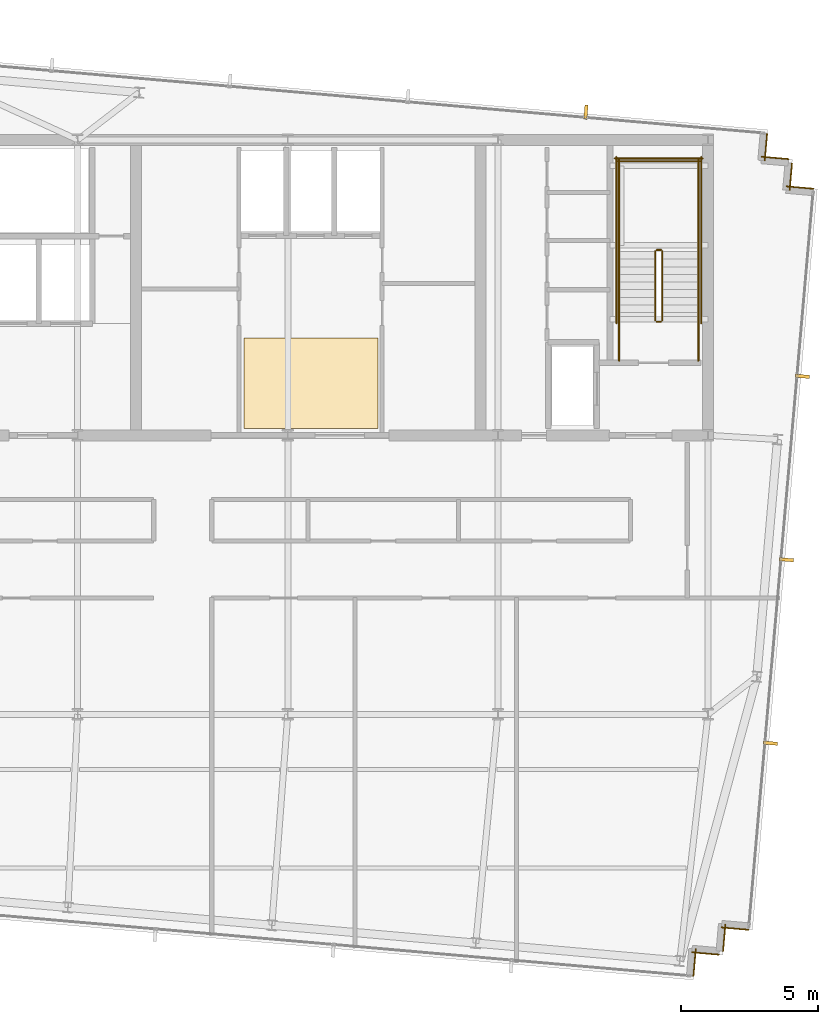
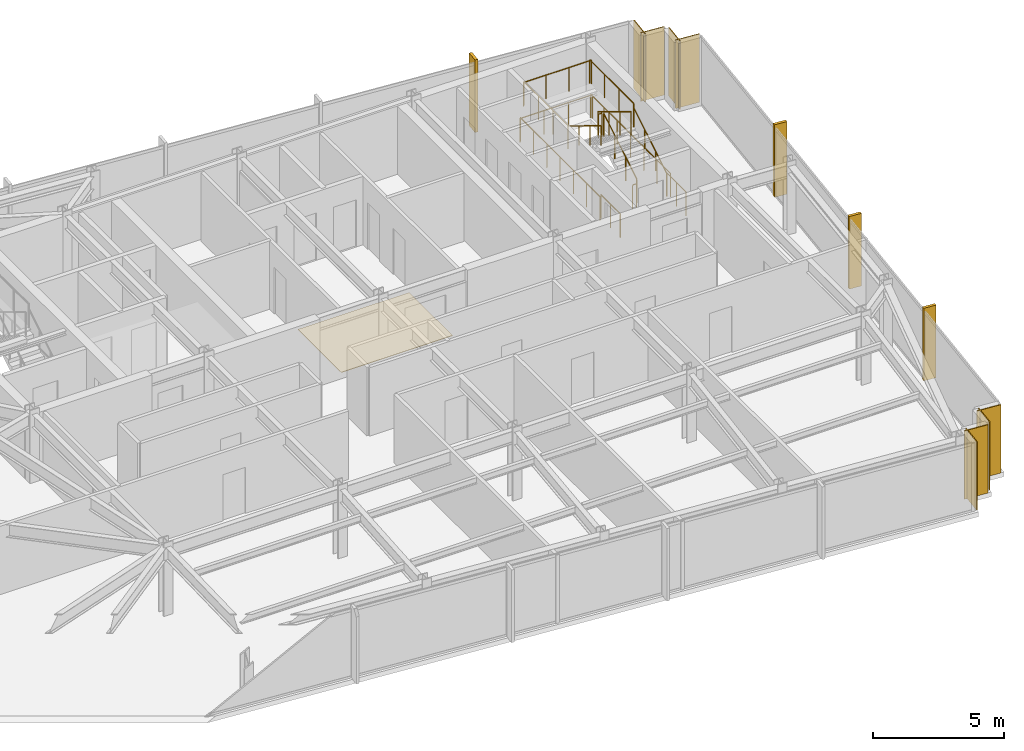
# One storey, part 31 of 32: 14 railings, 9 coverings, 4 shading devices.
"""IFC4 building model written with IfcOpenShell, lengths in metres."""

from ifc_helpers import new_model, si_unit, direction, frame, frame_2d, origin, origin_2d, place, context, subcontext, project, spatial, polyline, rectangle, circle, outline, extrude, material, layer, layer_set, type_object, element, save


model = new_model("IFC4")

# Units and contexts
model_context = context("Model", 3, precision=1e-05, world=origin(), true_north=direction((0.0, 1.0)))
body_context = subcontext(model_context, "Body", "Model", "MODEL_VIEW")
ifc_project = project(units=[si_unit("LENGTHUNIT", "METRE"), si_unit("AREAUNIT", "SQUARE_METRE"), si_unit("VOLUMEUNIT", "CUBIC_METRE"), si_unit("PLANEANGLEUNIT", "RADIAN"), si_unit("MASSUNIT", "GRAM", prefix="KILO")], contexts=[model_context])

# Site, building, storey
site_placement = place(None, origin())
site = spatial("IfcSite", under=ifc_project, at=site_placement, CompositionType="ELEMENT")
building_placement = place(site_placement, origin())
building = spatial("IfcBuilding", under=site, at=building_placement, Name="Yelkora Congress Tower", CompositionType="ELEMENT")
storey_placement = place(building_placement, frame((0.0, 0.0, 293.10009765625)))
storey = spatial("IfcBuildingStorey", under=building, at=storey_placement, Name="L82", CompositionType="ELEMENT", Elevation=293.10009765625)

# Coverings
ifc_material_1 = material(Name="Anatolian bush-hammered limestone", Category="masonry")
ifc_layer_1 = layer(ifc_material_1, 0.0400390625)
ifc_layer_set_1 = layer_set([ifc_layer_1], Name="Anatolian bush-hammered limestone")
covering_type_1 = type_object("IfcCoveringType", Name="COV-CLAD-SPANDREL-40", PredefinedType="CLADDING", material=ifc_layer_set_1)
for number, where, z_axis, x_axis, name in (
    (1, (55.92041015625, 46.431396484375, 0.0), (0.0, 0.0, 1.0), (-0.086903493655, -0.996216734848, 0.0), "L82 Anatolian Limestone Cladding EW-L82-SR11"),
    (2, (55.710693359375, 45.581298828125, 0.0), (0.0, 0.0, 1.0), (0.996193717496, -0.087166950281, 0.0), "L82 Anatolian Limestone Cladding EW-L82-SR12"),
    (3, (56.82958984375, 45.347900390625, 0.0), (0.0, 0.0, 1.0), (-0.087166950281, -0.996193717496, 0.0), "L82 Anatolian Limestone Cladding EW-L82-SR13"),
):
    element("IfcCovering", number, at=place(storey_placement, frame(where, z_axis=z_axis, x_axis=x_axis)), inside=storey, type_object=covering_type_1, Name=name, PredefinedType="CLADDING", context=body_context, shape_type="SweptSolid", body=[
        extrude(rectangle(XDim=1.0, YDim=0.0400390625, at=frame_2d((0.5, 0.0))), origin(), (0.0, 0.0, 1.0), 3.179931640625),
    ])
covering_1_placement = place(storey_placement, frame((56.61962890625, 44.498046875, 0.0), z_axis=(0.0, 0.0, 1.0), x_axis=(0.996195572005, -0.087145753297, 0.0)))
element("IfcCovering", 4, at=covering_1_placement, inside=storey, type_object=covering_type_1, Name="L82 Anatolian Limestone Cladding EW-L82-SR14", PredefinedType="CLADDING", context=body_context, shape_type="SweptSolid", body=[
    extrude(rectangle(XDim=1.000244140625, YDim=0.0400390625, at=frame_2d((0.5, 0.0))), origin(), (0.0, 0.0, 1.0), 3.179931640625),
])
for number, where, z_axis, x_axis, name in (
    (5, (55.24609375, 17.32421875, 0.0), (0.0, 0.0, 1.0), (-0.99617248636, 0.08740925248, 0.0), "L82 Anatolian Limestone Cladding EW-L82-SR16"),
    (6, (54.396240234375, 17.5341796875, 0.0), (0.0, 0.0, 1.0), (-0.087166950281, -0.996193717496, 0.0), "L82 Anatolian Limestone Cladding EW-L82-SR17"),
):
    element("IfcCovering", number, at=place(storey_placement, frame(where, z_axis=z_axis, x_axis=x_axis)), inside=storey, type_object=covering_type_1, Name=name, PredefinedType="CLADDING", context=body_context, shape_type="SweptSolid", body=[
        extrude(rectangle(XDim=1.0, YDim=0.0400390625, at=frame_2d((0.5, 0.0))), origin(), (0.0, 0.0, 1.0), 3.179931640625),
    ])
covering_2_placement = place(storey_placement, frame((54.162841796875, 16.415283203125, 0.0), z_axis=(0.0, 0.0, 1.0), x_axis=(-0.996195572005, 0.087145753297, 0.0)))
element("IfcCovering", 7, at=covering_2_placement, inside=storey, type_object=covering_type_1, Name="L82 Anatolian Limestone Cladding EW-L82-SR18", PredefinedType="CLADDING", context=body_context, shape_type="SweptSolid", body=[
    extrude(rectangle(XDim=1.000244140625, YDim=0.0400390625, at=frame_2d((0.5, 0.0))), origin(), (0.0, 0.0, 1.0), 3.179931640625),
])
covering_3_placement = place(storey_placement, frame((53.312744140625, 16.625, 0.0), z_axis=(0.0, 0.0, 1.0), x_axis=(-0.087166950281, -0.996193717496, 0.0)))
element("IfcCovering", 8, at=covering_3_placement, inside=storey, type_object=covering_type_1, Name="L82 Anatolian Limestone Cladding EW-L82-SR19", PredefinedType="CLADDING", context=body_context, shape_type="SweptSolid", body=[
    extrude(rectangle(XDim=1.0, YDim=0.0400390625, at=frame_2d((0.5, 0.0))), origin(), (0.0, 0.0, 1.0), 3.179931640625),
])
ifc_material_2 = material(Name="Polished Anatolian grey granite tile", Category="masonry")
ifc_layer_2 = layer(ifc_material_2, 0.02001953125)
ifc_layer_set_2 = layer_set([ifc_layer_2], Name="Polished Anatolian grey granite tile")
covering_type_2 = type_object("IfcCoveringType", Name="COV-FLOOR-GRANITE-20", PredefinedType="FLOORING", material=ifc_layer_set_2)
covering_4_placement = place(storey_placement, origin())
element("IfcCovering", 9, at=covering_4_placement, inside=storey, type_object=covering_type_2, Name="L82 Lift Lobby Granite Flooring", PredefinedType="FLOORING", context=body_context, shape_type="SweptSolid", body=[
    extrude(outline(polyline([(36.800048828125, 35.64990234375), (41.699951171875, 35.64990234375), (41.699951171875, 38.949951171875), (36.800048828125, 38.949951171875), (36.800048828125, 35.64990234375)])), origin(), (0.0, 0.0, 1.0), 0.02001953125),
])

# Railings
ifc_material_3 = material(Name="Painted galvanised steel stair well guard with vertical infill", Category="steel")
ifc_layer_3 = layer(ifc_material_3, 0.06005859375)
ifc_layer_set_3 = layer_set([ifc_layer_3], Name="Painted galvanised steel stair well guard with vertical infill")
railing_type_1 = type_object("IfcRailingType", Name="RAIL-STAIR-GUARD-1120", PredefinedType="GUARDRAIL", material=ifc_layer_set_3)
railing_1_placement = place(storey_placement, frame((52.090087890625, 39.60009765625, 0.169921875)))
element("IfcRailing", 10, at=railing_1_placement, inside=storey, type_object=railing_type_1, Name="ST-02 L82 Stair Well Guardrail 1", PredefinedType="GUARDRAIL", context=body_context, shape_type="SweptSolid", body=[
    extrude(circle(Radius=0.02392578125, at=origin_2d()), frame((0.0, 0.0, 1.09619140625), z_axis=(0.0, 0.85478489116, 0.518982456201), x_axis=(-1.0, 0.0, 0.0)), (0.0, 0.0, 1.0), 2.9482421875),
    extrude(circle(Radius=0.02099609375, at=origin_2d()), origin(), (0.0, 0.0, 1.0), 1.072021484375),
    extrude(circle(Radius=0.02099609375, at=origin_2d()), frame((0.0, 0.840087890625, 0.510009765625)), (0.0, 0.0, 1.0), 1.072021484375),
    extrude(circle(Radius=0.02099609375, at=origin_2d()), frame((0.0, 1.679931640625, 1.02001953125)), (0.0, 0.0, 1.0), 1.072021484375),
    extrude(circle(Radius=0.02099609375, at=origin_2d()), frame((0.0, 2.52001953125, 1.530029296875)), (0.0, 0.0, 1.0), 1.072021484375),
])
railing_2_placement = place(storey_placement, frame((52.0400390625, 42.169921875, 1.699951171875)))
element("IfcRailing", 11, at=railing_2_placement, inside=storey, type_object=railing_type_1, Name="ST-02 L82 Stair Well Guardrail 2", PredefinedType="GUARDRAIL", context=body_context, shape_type="SweptSolid", body=[
    extrude(circle(Radius=0.02392578125, at=origin_2d()), frame((0.0, 0.0, 1.09619140625), z_axis=(-1.0, 0.0, 0.0), x_axis=(0.0, -1.0, 0.0)), (0.0, 0.0, 1.0), 0.16015625),
    extrude(circle(Radius=0.02099609375, at=origin_2d()), origin(), (0.0, 0.0, 1.0), 1.072021484375),
    extrude(circle(Radius=0.02099609375, at=origin_2d()), frame((-0.16015625, 0.0, 0.0)), (0.0, 0.0, 1.0), 1.072021484375),
])
for number, where, name in (
    (12, (53.409912109375, 42.1201171875, 1.699951171875), "ST-02 L82 Stair Well Guardrail 3"),
    (13, (50.510009765625, 42.1201171875, 1.699951171875), "ST-02 L82 Stair Well Guardrail 4"),
):
    element("IfcRailing", number, at=place(storey_placement, frame(where)), inside=storey, type_object=railing_type_1, Name=name, PredefinedType="GUARDRAIL", context=body_context, shape_type="SweptSolid", body=[
        extrude(circle(Radius=0.02392578125, at=origin_2d()), frame((0.0, 0.0, 1.09619140625), z_axis=(0.0, 1.0, 0.0), x_axis=(-1.0, 0.0, 0.0)), (0.0, 0.0, 1.0), 3.349853515625),
        extrude(circle(Radius=0.02099609375, at=origin_2d()), origin(), (0.0, 0.0, 1.0), 1.072021484375),
        extrude(circle(Radius=0.02099609375, at=origin_2d()), frame((0.0, 1.11669921875, 0.0)), (0.0, 0.0, 1.0), 1.072021484375),
        extrude(circle(Radius=0.02099609375, at=origin_2d()), frame((0.0, 2.233154296875, 0.0)), (0.0, 0.0, 1.0), 1.072021484375),
        extrude(circle(Radius=0.02099609375, at=origin_2d()), frame((0.0, 3.349853515625, 0.0)), (0.0, 0.0, 1.0), 1.072021484375),
    ])
railing_3_placement = place(storey_placement, frame((53.4599609375, 45.419921875, 1.699951171875)))
element("IfcRailing", 14, at=railing_3_placement, inside=storey, type_object=railing_type_1, Name="ST-02 L82 Stair Well Guardrail 5", PredefinedType="GUARDRAIL", context=body_context, shape_type="SweptSolid", body=[
    extrude(circle(Radius=0.02392578125, at=origin_2d()), frame((0.0, 0.0, 1.09619140625), z_axis=(-1.0, 0.0, 0.0), x_axis=(0.0, -1.0, 0.0)), (0.0, 0.0, 1.0), 3.0),
    extrude(circle(Radius=0.02099609375, at=origin_2d()), origin(), (0.0, 0.0, 1.0), 1.072021484375),
    extrude(circle(Radius=0.02099609375, at=origin_2d()), frame((-1.0, 0.0, 0.0)), (0.0, 0.0, 1.0), 1.072021484375),
    extrude(circle(Radius=0.02099609375, at=origin_2d()), frame((-2.0, 0.0, 0.0)), (0.0, 0.0, 1.0), 1.072021484375),
    extrude(circle(Radius=0.02099609375, at=origin_2d()), frame((-3.0, 0.0, 0.0)), (0.0, 0.0, 1.0), 1.072021484375),
])
railing_4_placement = place(storey_placement, frame((51.830078125, 42.1201171875, 1.869873046875)))
element("IfcRailing", 15, at=railing_4_placement, inside=storey, type_object=railing_type_1, Name="ST-02 L82 Stair Well Guardrail 6", PredefinedType="GUARDRAIL", context=body_context, shape_type="SweptSolid", body=[
    extrude(circle(Radius=0.02392578125, at=origin_2d()), frame((0.0, 0.0, 1.09619140625), z_axis=(0.0, -0.85478489116, 0.518982456201), x_axis=(1.0, 0.0, 0.0)), (0.0, 0.0, 1.0), 2.9482421875),
    extrude(circle(Radius=0.02099609375, at=origin_2d()), origin(), (0.0, 0.0, 1.0), 1.072021484375),
    extrude(circle(Radius=0.02099609375, at=origin_2d()), frame((0.0, -0.840087890625, 0.510009765625)), (0.0, 0.0, 1.0), 1.072021484375),
    extrude(circle(Radius=0.02099609375, at=origin_2d()), frame((0.0, -1.679931640625, 1.02001953125)), (0.0, 0.0, 1.0), 1.072021484375),
    extrude(circle(Radius=0.02099609375, at=origin_2d()), frame((0.0, -2.52001953125, 1.530029296875)), (0.0, 0.0, 1.0), 1.072021484375),
])
railing_5_placement = place(storey_placement, frame((52.0400390625, 39.550048828125, 0.0)))
element("IfcRailing", 16, at=railing_5_placement, inside=storey, type_object=railing_type_1, Name="ST-02 L82 Stair Well Guardrail 7", PredefinedType="GUARDRAIL", context=body_context, shape_type="SweptSolid", body=[
    extrude(circle(Radius=0.02392578125, at=origin_2d()), frame((0.0, 0.0, 1.09619140625), z_axis=(-1.0, 0.0, 0.0), x_axis=(0.0, -1.0, 0.0)), (0.0, 0.0, 1.0), 0.16015625),
    extrude(circle(Radius=0.02099609375, at=origin_2d()), origin(), (0.0, 0.0, 1.0), 1.072021484375),
    extrude(circle(Radius=0.02099609375, at=origin_2d()), frame((-0.16015625, 0.0, 0.0)), (0.0, 0.0, 1.0), 1.072021484375),
])
for number, where, name in (
    (17, (53.409912109375, 38.1201171875, 0.0), "ST-02 L82 Stair Well Guardrail 8"),
    (18, (50.510009765625, 38.1201171875, 0.0), "ST-02 L82 Stair Well Guardrail 9"),
):
    element("IfcRailing", number, at=place(storey_placement, frame(where)), inside=storey, type_object=railing_type_1, Name=name, PredefinedType="GUARDRAIL", context=body_context, shape_type="SweptSolid", body=[
        extrude(circle(Radius=0.02392578125, at=origin_2d()), frame((0.0, 0.0, 1.09619140625), z_axis=(0.0, 1.0, 0.0), x_axis=(-1.0, 0.0, 0.0)), (0.0, 0.0, 1.0), 1.47998046875),
        extrude(circle(Radius=0.02099609375, at=origin_2d()), origin(), (0.0, 0.0, 1.0), 1.072021484375),
        extrude(circle(Radius=0.02099609375, at=origin_2d()), frame((0.0, 0.739990234375, 0.0)), (0.0, 0.0, 1.0), 1.072021484375),
        extrude(circle(Radius=0.02099609375, at=origin_2d()), frame((0.0, 1.47998046875, 0.0)), (0.0, 0.0, 1.0), 1.072021484375),
    ])
for number, where, name in (
    (19, (53.510009765625, 39.5, 0.0), "ST-02 L82 Stair Well Guardrail 10"),
    (20, (50.409912109375, 39.5, 0.0), "ST-02 L82 Stair Well Guardrail 11"),
):
    element("IfcRailing", number, at=place(storey_placement, frame(where)), inside=storey, type_object=railing_type_1, Name=name, PredefinedType="GUARDRAIL", context=body_context, shape_type="SweptSolid", body=[
        extrude(circle(Radius=0.02392578125, at=origin_2d()), frame((0.0, 0.0, 1.09619140625), z_axis=(0.0, 1.0, 0.0), x_axis=(-1.0, 0.0, 0.0)), (0.0, 0.0, 1.0), 6.070068359375),
        extrude(circle(Radius=0.02099609375, at=origin_2d()), origin(), (0.0, 0.0, 1.0), 1.072021484375),
        extrude(circle(Radius=0.02099609375, at=origin_2d()), frame((0.0, 1.01171875, 0.0)), (0.0, 0.0, 1.0), 1.072021484375),
        extrude(circle(Radius=0.02099609375, at=origin_2d()), frame((0.0, 2.0234375, 0.0)), (0.0, 0.0, 1.0), 1.072021484375),
        extrude(circle(Radius=0.02099609375, at=origin_2d()), frame((0.0, 3.03515625, 0.0)), (0.0, 0.0, 1.0), 1.072021484375),
        extrude(circle(Radius=0.02099609375, at=origin_2d()), frame((0.0, 4.046630859375, 0.0)), (0.0, 0.0, 1.0), 1.072021484375),
        extrude(circle(Radius=0.02099609375, at=origin_2d()), frame((0.0, 5.058349609375, 0.0)), (0.0, 0.0, 1.0), 1.072021484375),
        extrude(circle(Radius=0.02099609375, at=origin_2d()), frame((0.0, 6.070068359375, 0.0)), (0.0, 0.0, 1.0), 1.072021484375),
    ])
railing_6_placement = place(storey_placement, frame((53.56005859375, 45.52001953125, 0.0)))
element("IfcRailing", 21, at=railing_6_placement, inside=storey, type_object=railing_type_1, Name="ST-02 L82 Stair Well Guardrail 12", PredefinedType="GUARDRAIL", context=body_context, shape_type="SweptSolid", body=[
    extrude(circle(Radius=0.02392578125, at=origin_2d()), frame((0.0, 0.0, 1.09619140625), z_axis=(-1.0, 0.0, 0.0), x_axis=(0.0, -1.0, 0.0)), (0.0, 0.0, 1.0), 3.199951171875),
    extrude(circle(Radius=0.02099609375, at=origin_2d()), origin(), (0.0, 0.0, 1.0), 1.072021484375),
    extrude(circle(Radius=0.02099609375, at=origin_2d()), frame((-1.066650390625, 0.0, 0.0)), (0.0, 0.0, 1.0), 1.072021484375),
    extrude(circle(Radius=0.02099609375, at=origin_2d()), frame((-2.13330078125, 0.0, 0.0)), (0.0, 0.0, 1.0), 1.072021484375),
    extrude(circle(Radius=0.02099609375, at=origin_2d()), frame((-3.199951171875, 0.0, 0.0)), (0.0, 0.0, 1.0), 1.072021484375),
])
ifc_material_4 = material(Name="Brushed stainless steel tubular handrail", Category="steel")
ifc_layer_4 = layer(ifc_material_4, 0.050048828125)
ifc_layer_set_4 = layer_set([ifc_layer_4], Name="Brushed stainless steel tubular handrail")
railing_type_2 = type_object("IfcRailingType", Name="RAIL-STAIR-HAND-920", PredefinedType="HANDRAIL", material=ifc_layer_set_4)
railing_7_placement = place(storey_placement, frame((53.409912109375, 39.60009765625, 0.169921875)))
element("IfcRailing", 22, at=railing_7_placement, inside=storey, type_object=railing_type_2, Name="ST-02 L82 Pitch Handrail 1", PredefinedType="HANDRAIL", context=body_context, shape_type="SweptSolid", body=[
    extrude(circle(Radius=0.02392578125, at=origin_2d()), frame((0.0, 0.0, 0.89599609375), z_axis=(0.0, 0.85478489116, 0.518982456201), x_axis=(-1.0, 0.0, 0.0)), (0.0, 0.0, 1.0), 2.9482421875),
    extrude(circle(Radius=0.02099609375, at=origin_2d()), origin(), (0.0, 0.0, 1.0), 0.871826171875),
    extrude(circle(Radius=0.02099609375, at=origin_2d()), frame((0.0, 0.840087890625, 0.510009765625)), (0.0, 0.0, 1.0), 0.871826171875),
    extrude(circle(Radius=0.02099609375, at=origin_2d()), frame((0.0, 1.679931640625, 1.02001953125)), (0.0, 0.0, 1.0), 0.871826171875),
    extrude(circle(Radius=0.02099609375, at=origin_2d()), frame((0.0, 2.52001953125, 1.530029296875)), (0.0, 0.0, 1.0), 0.871826171875),
])
railing_8_placement = place(storey_placement, frame((50.510009765625, 42.1201171875, 1.869873046875)))
element("IfcRailing", 23, at=railing_8_placement, inside=storey, type_object=railing_type_2, Name="ST-02 L82 Pitch Handrail 2", PredefinedType="HANDRAIL", context=body_context, shape_type="SweptSolid", body=[
    extrude(circle(Radius=0.02392578125, at=origin_2d()), frame((0.0, 0.0, 0.89599609375), z_axis=(0.0, -0.85478489116, 0.518982456201), x_axis=(1.0, 0.0, 0.0)), (0.0, 0.0, 1.0), 2.9482421875),
    extrude(circle(Radius=0.02099609375, at=origin_2d()), origin(), (0.0, 0.0, 1.0), 0.871826171875),
    extrude(circle(Radius=0.02099609375, at=origin_2d()), frame((0.0, -0.840087890625, 0.510009765625)), (0.0, 0.0, 1.0), 0.871826171875),
    extrude(circle(Radius=0.02099609375, at=origin_2d()), frame((0.0, -1.679931640625, 1.02001953125)), (0.0, 0.0, 1.0), 0.871826171875),
    extrude(circle(Radius=0.02099609375, at=origin_2d()), frame((0.0, -2.52001953125, 1.530029296875)), (0.0, 0.0, 1.0), 0.871826171875),
])

# Shading devices
ifc_material_5 = material(Name="Champagne anodised aluminium", Category="aluminium")
ifc_layer_5 = layer(ifc_material_5, 3.300048828125)
ifc_layer_set_5 = layer_set([ifc_layer_5], Name="Champagne anodised aluminium")
shading_device_type = type_object("IfcShadingDeviceType", Name="SHD-FIN-ALU-520", PredefinedType="USERDEFINED", material=ifc_layer_set_5)
for number, where, z_axis, x_axis, name in (
    (24, (49.296875, 47.21142578125, -0.030029296875), (0.0, 0.0, 1.0), (0.996194698092, -0.087155742748, 0.0), "L82 Vertical Anodised Solar Fin 10-6"),
    (25, (57.216796875, 37.554443359375, -0.030029296875), (0.0, 0.0, 1.0), (-0.087155742748, -0.996194698092, 0.0), "L82 Vertical Anodised Solar Fin 15-1"),
    (26, (56.630126953125, 30.85009765625, -0.030029296875), (0.0, 0.0, 1.0), (-0.087155742748, -0.996194698092, 0.0), "L82 Vertical Anodised Solar Fin 15-2"),
    (27, (56.043701171875, 24.145751953125, -0.030029296875), (0.0, 0.0, 1.0), (-0.087155742748, -0.996194698092, 0.0), "L82 Vertical Anodised Solar Fin 15-3"),
):
    element("IfcShadingDevice", number, at=place(storey_placement, frame(where, z_axis=z_axis, x_axis=x_axis)), inside=storey, type_object=shading_device_type, Name=name, ObjectType="FIN", PredefinedType="USERDEFINED", context=body_context, shape_type="SweptSolid", body=[
        extrude(rectangle(XDim=0.1201171875, YDim=0.52001953125, at=origin_2d()), origin(), (0.0, 0.0, 1.0), 3.3798828125),
    ])

save(model, "model.ifc")
